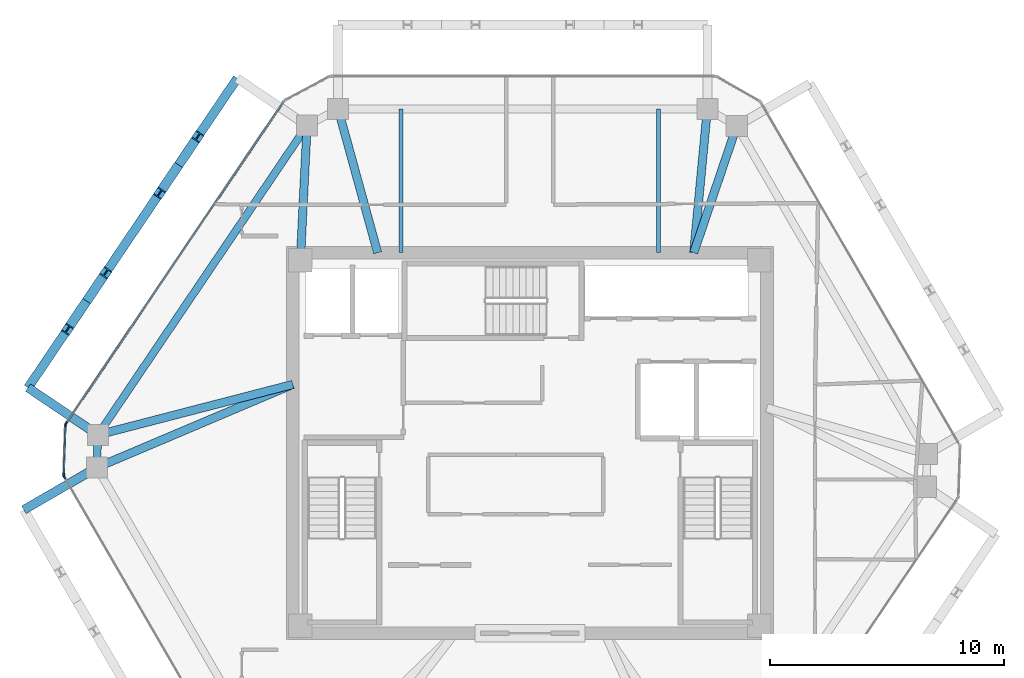
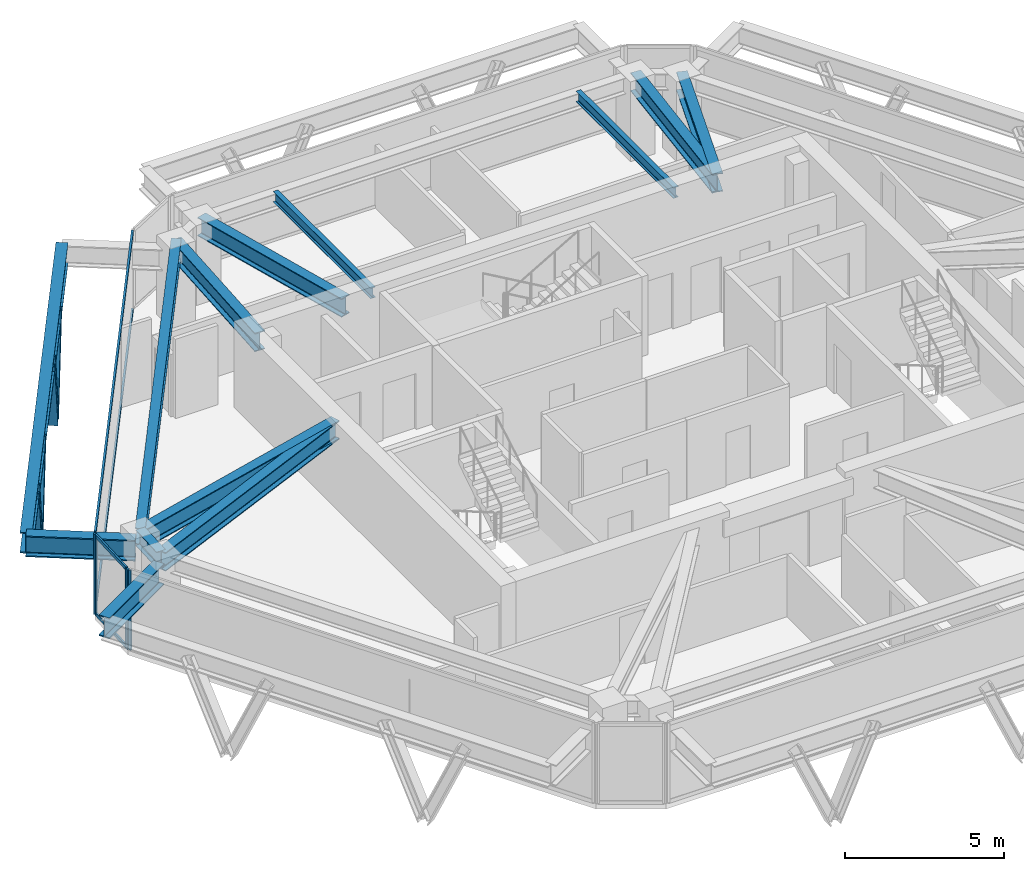
# One storey, part 4 of 11: 13 beams, 12 members, 3 elements without a shape of their own.
"""IFC4 building model written with IfcOpenShell, lengths in metres."""

from ifc_helpers import new_model, si_unit, direction, frame, origin, origin_2d, place, context, subcontext, project, spatial, rectangle, i_section, extrude, source, transform, mapped, material, layer, layer_set, material_profile, profile_set, type_object, type_shapes, element, aggregate, save


model = new_model("IFC4")

# Units and contexts
model_context = context("Model", 3, precision=1e-05, world=origin(), true_north=direction((0.0, 1.0)))
body_context = subcontext(model_context, "Body", "Model", "MODEL_VIEW")
ifc_project = project(units=[si_unit("LENGTHUNIT", "METRE"), si_unit("AREAUNIT", "SQUARE_METRE"), si_unit("VOLUMEUNIT", "CUBIC_METRE"), si_unit("PLANEANGLEUNIT", "RADIAN"), si_unit("MASSUNIT", "GRAM", prefix="KILO")], contexts=[model_context])

# Site, building, storey
site_placement = place(None, origin())
site = spatial("IfcSite", under=ifc_project, at=site_placement, CompositionType="ELEMENT")
building_placement = place(site_placement, origin())
building = spatial("IfcBuilding", under=site, at=building_placement, Name="Durnholm Broadcast Tower", CompositionType="ELEMENT")
storey_placement = place(building_placement, frame((0.0, 0.0, 224.89990234375)))
storey = spatial("IfcBuildingStorey", under=building, at=storey_placement, Name="L62", CompositionType="ELEMENT", Elevation=224.89990234375)

# Beams
ifc_material_1 = material(Name="Steel ASTM A992 Grade 50", Category="steel")
ifc_material_profile_1 = material_profile(ifc_material_1, i_section(OverallWidth=0.385009765625, OverallDepth=0.802978515625, WebThickness=0.023681640625, FlangeThickness=0.0419921875, FilletRadius=0.032958984375, at=origin_2d()), Name="W30X261")
ifc_profile_set_1 = profile_set([ifc_material_profile_1], Name="Steel ASTM A992 Grade 50")
beam_type_1 = type_object("IfcBeamType", Name="BM-EXO-TIE", PredefinedType="USERDEFINED", material=ifc_profile_set_1)
shared_shape_1 = source(origin(), body_context, "Body", "SweptSolid", [
    extrude(i_section(OverallWidth=0.385009765625, OverallDepth=0.802978515625, WebThickness=0.023681640625, FlangeThickness=0.0419921875, FilletRadius=0.032958984375, at=origin_2d()), origin(), (0.0, 0.0, 1.0), 3.4560546875),
])
for number, where, z_axis, x_axis, name in (
    (1, (-18.565673828125, 0.426513671875, 2.30859375), (-0.828413564093, 0.56011692246, 0.0), (-0.56011692246, -0.828413564093, 0.0), "L62 exoskeleton stand-off tie bracket F5.2"),
    (2, (-18.618896484375, -1.1201171875, 2.30859375), (-0.864876013532, -0.501985538852, 0.0), (0.501985538852, -0.864876013532, 0.0), "L62 exoskeleton stand-off tie bracket F6.1"),
):
    element("IfcBeam", number, at=place(storey_placement, frame(where, z_axis=z_axis, x_axis=x_axis)), inside=storey, type_object=beam_type_1, Name=name, ObjectType="GIRDER", PredefinedType="USERDEFINED", context=body_context, shape_type="MappedRepresentation", body=[
        mapped(shared_shape_1, transform((0.0, 0.0, 0.0), x_axis=(1.0, 0.0, 0.0), y_axis=(0.0, 1.0, 0.0), z_axis=(0.0, 0.0, 1.0), scale=1.0)),
    ])
ifc_material_profile_2 = material_profile(ifc_material_1, i_section(OverallWidth=0.3251953125, OverallDepth=0.6162109375, WebThickness=0.013916015625, FlangeThickness=0.021484375, FilletRadius=0.02783203125, at=origin_2d()), Name="W24X117")
ifc_profile_set_2 = profile_set([ifc_material_profile_2], Name="Steel ASTM A992 Grade 50")
beam_type_2 = type_object("IfcBeamType", Name="STL-SP-W24X117", PredefinedType="SPANDREL", material=ifc_profile_set_2)
shared_shape_2 = source(origin(), body_context, "Body", "SweptSolid", [
    extrude(i_section(OverallWidth=0.3251953125, OverallDepth=0.6162109375, WebThickness=0.013916015625, FlangeThickness=0.021484375, FilletRadius=0.02783203125, at=origin_2d()), origin(), (0.0, 0.0, 1.0), 1.39453125),
])
beam_1_placement = place(storey_placement, frame((-18.494384765625, -1.0478515625, 2.737060546875), z_axis=(0.034486393061, 0.999405167434, 0.0), x_axis=(-0.999405167434, 0.034486393061, 0.0)))
element("IfcBeam", 3, at=beam_1_placement, inside=storey, type_object=beam_type_2, Name="L62 perimeter spandrel girder 02", PredefinedType="SPANDREL", context=body_context, shape_type="MappedRepresentation", body=[
    mapped(shared_shape_2, transform((0.0, 0.0, 0.0), x_axis=(1.0, 0.0, 0.0), y_axis=(0.0, 1.0, 0.0), z_axis=(0.0, 0.0, 1.0), scale=1.0)),
])
shared_shape_3 = source(origin(), body_context, "Body", "SweptSolid", [
    extrude(i_section(OverallWidth=0.3251953125, OverallDepth=0.6162109375, WebThickness=0.013916015625, FlangeThickness=0.021484375, FilletRadius=0.02783203125, at=origin_2d()), origin(), (0.0, 0.0, 1.0), 15.947265625),
])
type_shapes(beam_type_2, [shared_shape_2, shared_shape_3])
beam_2_placement = place(storey_placement, frame((-18.4462890625, 0.345947265625, 2.737060546875), z_axis=(0.560062212489, 0.828450552623, 0.0), x_axis=(-0.828450552623, 0.560062212489, 0.0)))
element("IfcBeam", 4, at=beam_2_placement, inside=storey, type_object=beam_type_2, Name="L62 perimeter spandrel girder 03", PredefinedType="SPANDREL", context=body_context, shape_type="MappedRepresentation", body=[
    mapped(shared_shape_3, transform((0.0, 0.0, 0.0), x_axis=(1.0, 0.0, 0.0), y_axis=(0.0, 1.0, 0.0), z_axis=(0.0, 0.0, 1.0), scale=1.0)),
])
ifc_material_profile_3 = material_profile(ifc_material_1, i_section(OverallWidth=0.3564453125, OverallDepth=0.713623046875, WebThickness=0.01904296875, FlangeThickness=0.033935546875, FilletRadius=0.030517578125, at=origin_2d()), Name="W27X194")
ifc_profile_set_3 = profile_set([ifc_material_profile_3], Name="Steel ASTM A992 Grade 50")
beam_type_3 = type_object("IfcBeamType", Name="STL-GR-W27X194", PredefinedType="USERDEFINED", material=ifc_profile_set_3)
shared_shape_4 = source(origin(), body_context, "Body", "SweptSolid", [
    extrude(i_section(OverallWidth=0.3564453125, OverallDepth=0.713623046875, WebThickness=0.01904296875, FlangeThickness=0.033935546875, FilletRadius=0.030517578125, at=origin_2d()), origin(), (0.0, 0.0, 1.0), 5.764404296875),
])
beam_3_placement = place(storey_placement, frame((-9.800048828125, 7.800048828125, 2.688232421875), z_axis=(0.049468662109, 0.99877567625, 0.0), x_axis=(-0.99877567625, 0.049468662109, 0.0)))
element("IfcBeam", 5, at=beam_3_placement, inside=storey, type_object=beam_type_3, Name="L62 radial primary floor girder 04", ObjectType="GIRDER", PredefinedType="USERDEFINED", context=body_context, shape_type="MappedRepresentation", body=[
    mapped(shared_shape_4, transform((0.0, 0.0, 0.0), x_axis=(1.0, 0.0, 0.0), y_axis=(0.0, 1.0, 0.0), z_axis=(0.0, 0.0, 1.0), scale=1.0)),
])
shared_shape_5 = source(origin(), body_context, "Body", "SweptSolid", [
    extrude(i_section(OverallWidth=0.385009765625, OverallDepth=0.802978515625, WebThickness=0.023681640625, FlangeThickness=0.0419921875, FilletRadius=0.032958984375, at=origin_2d()), origin(), (0.0, 0.0, 1.0), 15.947021484375),
])
type_shapes(beam_type_1, [shared_shape_1, shared_shape_5])
beam_4_placement = place(storey_placement, frame((-12.497314453125, 15.573486328125, 2.30859375), z_axis=(-0.560069315853, -0.828445750451, 0.0), x_axis=(0.828445750451, -0.560069315853, 0.0)))
element("IfcBeam", 6, at=beam_4_placement, inside=storey, type_object=beam_type_1, Name="L62 exoskeleton collector spandrel F5", PredefinedType="SPANDREL", context=body_context, shape_type="MappedRepresentation", body=[
    mapped(shared_shape_5, transform((0.0, 0.0, 0.0), x_axis=(1.0, 0.0, 0.0), y_axis=(0.0, 1.0, 0.0), z_axis=(0.0, 0.0, 1.0), scale=1.0)),
])
shared_shape_6 = source(origin(), body_context, "Body", "SweptSolid", [
    extrude(i_section(OverallWidth=0.3564453125, OverallDepth=0.713623046875, WebThickness=0.01904296875, FlangeThickness=0.033935546875, FilletRadius=0.030517578125, at=origin_2d()), origin(), (0.0, 0.0, 1.0), 9.09033203125),
])
beam_5_placement = place(storey_placement, frame((-10.125, 2.5, 2.688232421875), z_axis=(-0.920692350722, -0.390289117607, 0.0), x_axis=(0.390289117607, -0.920692350722, 0.0)))
element("IfcBeam", 7, at=beam_5_placement, inside=storey, type_object=beam_type_3, Name="L62 radial primary floor girder 02", ObjectType="GIRDER", PredefinedType="USERDEFINED", context=body_context, shape_type="MappedRepresentation", body=[
    mapped(shared_shape_6, transform((0.0, 0.0, 0.0), x_axis=(1.0, 0.0, 0.0), y_axis=(0.0, 1.0, 0.0), z_axis=(0.0, 0.0, 1.0), scale=1.0)),
])
shared_shape_7 = source(origin(), body_context, "Body", "SweptSolid", [
    extrude(i_section(OverallWidth=0.3564453125, OverallDepth=0.713623046875, WebThickness=0.01904296875, FlangeThickness=0.033935546875, FilletRadius=0.030517578125, at=origin_2d()), origin(), (0.0, 0.0, 1.0), 8.595458984375),
])
beam_6_placement = place(storey_placement, frame((-10.125, 2.5, 2.688232421875), z_axis=(-0.968090619149, -0.250600385306, 0.0), x_axis=(0.250600385306, -0.968090619149, 0.0)))
element("IfcBeam", 8, at=beam_6_placement, inside=storey, type_object=beam_type_3, Name="L62 radial primary floor girder 03", ObjectType="GIRDER", PredefinedType="USERDEFINED", context=body_context, shape_type="MappedRepresentation", body=[
    mapped(shared_shape_7, transform((0.0, 0.0, 0.0), x_axis=(1.0, 0.0, 0.0), y_axis=(0.0, 1.0, 0.0), z_axis=(0.0, 0.0, 1.0), scale=1.0)),
])
shared_shape_8 = source(origin(), body_context, "Body", "SweptSolid", [
    extrude(i_section(OverallWidth=0.3564453125, OverallDepth=0.713623046875, WebThickness=0.01904296875, FlangeThickness=0.033935546875, FilletRadius=0.030517578125, at=origin_2d()), origin(), (0.0, 0.0, 1.0), 6.36474609375),
])
beam_7_placement = place(storey_placement, frame((-6.5, 8.125, 2.688232421875), z_axis=(-0.265168072834, 0.96420220553, 0.0), x_axis=(-0.96420220553, -0.265168072834, 0.0)))
element("IfcBeam", 9, at=beam_7_placement, inside=storey, type_object=beam_type_3, Name="L62 radial primary floor girder 05", ObjectType="GIRDER", PredefinedType="USERDEFINED", context=body_context, shape_type="MappedRepresentation", body=[
    mapped(shared_shape_8, transform((0.0, 0.0, 0.0), x_axis=(1.0, 0.0, 0.0), y_axis=(0.0, 1.0, 0.0), z_axis=(0.0, 0.0, 1.0), scale=1.0)),
])
shared_shape_9 = source(origin(), body_context, "Body", "SweptSolid", [
    extrude(i_section(OverallWidth=0.3564453125, OverallDepth=0.713623046875, WebThickness=0.01904296875, FlangeThickness=0.033935546875, FilletRadius=0.030517578125, at=origin_2d()), origin(), (0.0, 0.0, 1.0), 6.164306640625),
])
beam_8_placement = place(storey_placement, frame((7.0, 8.125, 2.688232421875), z_axis=(0.094024068139, 0.995569924521, 0.0), x_axis=(-0.995569924521, 0.094024068139, 0.0)))
element("IfcBeam", 10, at=beam_8_placement, inside=storey, type_object=beam_type_3, Name="L62 radial primary floor girder 06", ObjectType="GIRDER", PredefinedType="USERDEFINED", context=body_context, shape_type="MappedRepresentation", body=[
    mapped(shared_shape_9, transform((0.0, 0.0, 0.0), x_axis=(1.0, 0.0, 0.0), y_axis=(0.0, 1.0, 0.0), z_axis=(0.0, 0.0, 1.0), scale=1.0)),
])
shared_shape_10 = source(origin(), body_context, "Body", "SweptSolid", [
    extrude(i_section(OverallWidth=0.3564453125, OverallDepth=0.713623046875, WebThickness=0.01904296875, FlangeThickness=0.033935546875, FilletRadius=0.030517578125, at=origin_2d()), origin(), (0.0, 0.0, 1.0), 5.716064453125),
])
type_shapes(beam_type_3, [shared_shape_4, shared_shape_6, shared_shape_7, shared_shape_8, shared_shape_9, shared_shape_10])
beam_9_placement = place(storey_placement, frame((7.0, 8.125, 2.688232421875), z_axis=(0.321450919754, 0.946926241156, 0.0), x_axis=(-0.946926241156, 0.321450919754, 0.0)))
element("IfcBeam", 11, at=beam_9_placement, inside=storey, type_object=beam_type_3, Name="L62 radial primary floor girder 07", ObjectType="GIRDER", PredefinedType="USERDEFINED", context=body_context, shape_type="MappedRepresentation", body=[
    mapped(shared_shape_10, transform((0.0, 0.0, 0.0), x_axis=(1.0, 0.0, 0.0), y_axis=(0.0, 1.0, 0.0), z_axis=(0.0, 0.0, 1.0), scale=1.0)),
])
ifc_material_profile_4 = material_profile(ifc_material_1, i_section(OverallWidth=0.177734375, OverallDepth=0.40673828125, WebThickness=0.0078125, FlangeThickness=0.0126953125, FilletRadius=0.01904296875, at=origin_2d()), Name="W16X40")
ifc_profile_set_4 = profile_set([ifc_material_profile_4], Name="Steel ASTM A992 Grade 50")
beam_type_4 = type_object("IfcBeamType", Name="STL-BJ-W16X40", PredefinedType="JOIST", material=ifc_profile_set_4)
shared_shape_11 = source(origin(), body_context, "Body", "SweptSolid", [
    extrude(i_section(OverallWidth=0.177734375, OverallDepth=0.40673828125, WebThickness=0.0078125, FlangeThickness=0.0126953125, FilletRadius=0.01904296875, at=origin_2d()), origin(), (0.0, 0.0, 1.0), 6.136962890625),
])
type_shapes(beam_type_4, [shared_shape_11])
for number, where, z_axis, x_axis, name in (
    (12, (-5.5, 8.125, 2.841796875), (0.0, 1.0, 0.0), (-1.0, 0.0, 0.0), "L62 secondary floor joist 3.2"),
    (13, (5.5, 8.125, 2.841796875), (0.0, 1.0, 0.0), (-1.0, 0.0, 0.0), "L62 secondary floor joist 4.2"),
):
    element("IfcBeam", number, at=place(storey_placement, frame(where, z_axis=z_axis, x_axis=x_axis)), inside=storey, type_object=beam_type_4, Name=name, PredefinedType="JOIST", context=body_context, shape_type="MappedRepresentation", body=[
        mapped(shared_shape_11, transform((0.0, 0.0, 0.0), x_axis=(1.0, 0.0, 0.0), y_axis=(0.0, 1.0, 0.0), z_axis=(0.0, 0.0, 1.0), scale=1.0)),
    ])

# Members
ifc_material_2 = material(Name="Steel ASTM A913 Grade 65", Category="steel")
ifc_material_profile_5 = material_profile(ifc_material_2, i_section(OverallWidth=0.40625, OverallDepth=0.416015625, WebThickness=0.02978515625, FlangeThickness=0.048095703125, FilletRadius=0.030517578125, at=origin_2d()), Name="W14X257")
ifc_profile_set_5 = profile_set([ifc_material_profile_5], Name="Steel ASTM A913 Grade 65")
member_type_1 = type_object("IfcMemberType", Name="STL-DG-W14X257", PredefinedType="BRACE", material=ifc_profile_set_5)
shared_shape_12 = source(origin(), body_context, "Body", "SweptSolid", [
    extrude(i_section(OverallWidth=0.40625, OverallDepth=0.416015625, WebThickness=0.02978515625, FlangeThickness=0.048095703125, FilletRadius=0.030517578125, at=origin_2d()), origin(), (0.0, 0.0, 1.0), 3.60791015625),
])
type_shapes(member_type_1, [shared_shape_12])
for number, where, z_axis, x_axis, name in (
    (14, (-14.998046875, 11.874267578125, -0.991455078125), (0.226349134478, 0.334888450383, 0.914667040579), (-0.828505003222, 0.559981660089, 0.0), "L62 stand-off diagrid brace F5.D1.1"),
    (15, (-14.998046875, 11.874267578125, -0.991455078125), (-0.226354263477, -0.334828369412, 0.914687766641), (0.828452496411, -0.560059337206, 0.0), "L62 stand-off diagrid brace F5.D1.2"),
    (16, (-18.927978515625, 6.061279296875, -0.991455078125), (0.226354263477, 0.334828369412, 0.914687766641), (-0.828452496411, 0.560059337206, 0.0), "L62 stand-off diagrid brace F5.D2.1"),
    (17, (-18.927978515625, 6.061279296875, -0.991455078125), (-0.226354263477, -0.334828369412, 0.914687766641), (0.828452496411, -0.560059337206, 0.0), "L62 stand-off diagrid brace F5.D2.2"),
):
    element("IfcMember", number, at=place(storey_placement, frame(where, z_axis=z_axis, x_axis=x_axis)), inside=storey, type_object=member_type_1, Name=name, PredefinedType="BRACE", context=body_context, shape_type="MappedRepresentation", body=[
        mapped(shared_shape_12, transform((0.0, 0.0, 0.0), x_axis=(1.0, 0.0, 0.0), y_axis=(0.0, 1.0, 0.0), z_axis=(0.0, 0.0, 1.0), scale=1.0)),
    ])

# Curtain wall, members
ifc_material_3 = material(Name="Aluminium and Solar Control IGU", Category="aluminium")
ifc_layer_1 = layer(ifc_material_3, 0.1650390625)
ifc_layer_set_1 = layer_set([ifc_layer_1], Name="Aluminium and Solar Control IGU")
curtain_wall_type_1 = type_object("IfcCurtainWallType", Name="CW-SYS-5", PredefinedType="NOTDEFINED", material=ifc_layer_set_1)
curtain_wall_1_placement = place(storey_placement, origin())
curtain_wall_1 = element("IfcCurtainWall", 18, at=curtain_wall_1_placement, inside=storey, type_object=curtain_wall_type_1, Name="L62 curtain wall CW-CORNER CW-L62-CRN-01", PredefinedType="NOTDEFINED")
ifc_material_4 = material(Name="Aluminium 6063-T6", Category="aluminium")
ifc_material_profile_6 = material_profile(ifc_material_4, rectangle(XDim=0.06494140625, YDim=0.1298828125, at=origin_2d()), Name="CWT65X130")
ifc_profile_set_6 = profile_set([ifc_material_profile_6], Name="Aluminium 6063-T6")
member_type_2 = type_object("IfcMemberType", Name="CW-SYS-5-TRN", PredefinedType="USERDEFINED", material=ifc_profile_set_6)
shared_shape_13 = source(origin(), body_context, "Body", "SweptSolid", [
    extrude(rectangle(XDim=0.06494140625, YDim=0.1298828125, at=origin_2d()), origin(), (0.0, 0.0, 1.0), 2.070068359375),
])
type_shapes(member_type_2, [shared_shape_13])
member_1_placement = place(storey_placement, frame((-19.905029296875, -1.33740234375, 0.03271484375), z_axis=(0.034320104965, 0.999410891673, 0.0), x_axis=(-0.999410891673, 0.034320104965, 0.0)))
member_1 = element("IfcMember", 19, at=member_1_placement, type_object=member_type_2, Name="CW-CORNER transom 1.1", ObjectType="TRANSOM", PredefinedType="USERDEFINED", context=body_context, shape_type="MappedRepresentation", body=[
    mapped(shared_shape_13, transform((0.0, 0.0, 0.0), x_axis=(1.0, 0.0, 0.0), y_axis=(0.0, 1.0, 0.0), z_axis=(0.0, 0.0, 1.0), scale=1.0)),
])
member_2_placement = place(storey_placement, frame((-19.905029296875, -1.33740234375, 3.027587890625), z_axis=(0.034320104965, 0.999410891673, 0.0), x_axis=(-0.999410891673, 0.034320104965, 0.0)))
member_2 = element("IfcMember", 20, at=member_2_placement, type_object=member_type_2, Name="CW-CORNER transom 1.2", ObjectType="TRANSOM", PredefinedType="USERDEFINED", context=body_context, shape_type="MappedRepresentation", body=[
    mapped(shared_shape_13, transform((0.0, 0.0, 0.0), x_axis=(1.0, 0.0, 0.0), y_axis=(0.0, 1.0, 0.0), z_axis=(0.0, 0.0, 1.0), scale=1.0)),
])
ifc_material_profile_7 = material_profile(ifc_material_4, rectangle(XDim=0.06494140625, YDim=0.1650390625, at=origin_2d()), Name="CWM65X165")
ifc_profile_set_7 = profile_set([ifc_material_profile_7], Name="Aluminium 6063-T6")
member_type_3 = type_object("IfcMemberType", Name="CW-SYS-5-MUL", PredefinedType="MULLION", material=ifc_profile_set_7)
shared_shape_14 = source(origin(), body_context, "Body", "SweptSolid", [
    extrude(rectangle(XDim=0.06494140625, YDim=0.1650390625, at=origin_2d()), origin(), (0.0, 0.0, 1.0), 3.06005859375),
])
type_shapes(member_type_3, [shared_shape_14])
member_3_placement = place(storey_placement, frame((-19.90625, -1.369873046875, 0.0), z_axis=(0.0, 0.0, 1.0), x_axis=(-0.999410955514, 0.034318245849, 0.0)))
member_3 = element("IfcMember", 21, at=member_3_placement, type_object=member_type_3, Name="CW-CORNER mullion 1", PredefinedType="MULLION", context=body_context, shape_type="MappedRepresentation", body=[
    mapped(shared_shape_14, transform((0.0, 0.0, 0.0), x_axis=(1.0, 0.0, 0.0), y_axis=(0.0, 1.0, 0.0), z_axis=(0.0, 0.0, 1.0), scale=1.0)),
])
member_4_placement = place(storey_placement, frame((-19.8330078125, 0.763916015625, 0.0), z_axis=(0.0, 0.0, 1.0), x_axis=(-0.999410955514, 0.034318245849, 0.0)))
member_4 = element("IfcMember", 22, at=member_4_placement, type_object=member_type_3, Name="CW-CORNER mullion 2", PredefinedType="MULLION", context=body_context, shape_type="MappedRepresentation", body=[
    mapped(shared_shape_14, transform((0.0, 0.0, 0.0), x_axis=(1.0, 0.0, 0.0), y_axis=(0.0, 1.0, 0.0), z_axis=(0.0, 0.0, 1.0), scale=1.0)),
])
aggregate(curtain_wall_1, [member_3, member_4, member_1, member_2])

# Curtain wall, member
ifc_layer_2 = layer(ifc_material_3, 0.18994140625)
ifc_layer_set_2 = layer_set([ifc_layer_2], Name="Aluminium and Solar Control IGU")
curtain_wall_type_2 = type_object("IfcCurtainWallType", Name="CW-SYS-4", PredefinedType="NOTDEFINED", material=ifc_layer_set_2)
curtain_wall_2_placement = place(storey_placement, origin())
curtain_wall_2 = element("IfcCurtainWall", 23, at=curtain_wall_2_placement, inside=storey, type_object=curtain_wall_type_2, Name="L62 curtain wall CW-Z34-VIS CW-L62-F02", PredefinedType="NOTDEFINED")
ifc_material_profile_8 = material_profile(ifc_material_4, rectangle(XDim=0.070068359375, YDim=0.18994140625, at=origin_2d()), Name="CWM70X190")
ifc_profile_set_8 = profile_set([ifc_material_profile_8], Name="Aluminium 6063-T6")
member_type_4 = type_object("IfcMemberType", Name="CW-SYS-4-MUL", PredefinedType="MULLION", material=ifc_profile_set_8)
shared_shape_15 = source(origin(), body_context, "Body", "SweptSolid", [
    extrude(rectangle(XDim=0.070068359375, YDim=0.18994140625, at=origin_2d()), origin(), (0.0, 0.0, 1.0), 3.06005859375),
])
type_shapes(member_type_4, [shared_shape_15])
member_5_placement = place(storey_placement, frame((-19.812255859375, 0.825439453125, 0.0), z_axis=(0.0, 0.0, 1.0), x_axis=(-0.828443431662, 0.560072745753, 0.0)))
member_5 = element("IfcMember", 24, at=member_5_placement, type_object=member_type_4, Name="CW-Z34-VIS mullion 1", PredefinedType="MULLION", context=body_context, shape_type="MappedRepresentation", body=[
    mapped(shared_shape_15, transform((0.0, 0.0, 0.0), x_axis=(1.0, 0.0, 0.0), y_axis=(0.0, 1.0, 0.0), z_axis=(0.0, 0.0, 1.0), scale=1.0)),
])

curtain_wall_3_placement = place(storey_placement, origin())
curtain_wall_3 = element("IfcCurtainWall", 25, at=curtain_wall_3_placement, inside=storey, type_object=curtain_wall_type_2, Name="L62 curtain wall CW-Z34-VIS CW-L62-F12", PredefinedType="NOTDEFINED")
member_6_placement = place(storey_placement, frame((-19.8896484375, -1.4326171875, 0.0), z_axis=(0.0, 0.0, 1.0), x_axis=(-0.864899883824, -0.50194441023, 0.0)))
member_6 = element("IfcMember", 26, at=member_6_placement, type_object=member_type_4, Name="CW-Z34-VIS mullion 2", PredefinedType="MULLION", context=body_context, shape_type="MappedRepresentation", body=[
    mapped(shared_shape_15, transform((0.0, 0.0, 0.0), x_axis=(1.0, 0.0, 0.0), y_axis=(0.0, 1.0, 0.0), z_axis=(0.0, 0.0, 1.0), scale=1.0)),
])
aggregate(curtain_wall_3, [member_6])

# Member
ifc_material_profile_9 = material_profile(ifc_material_4, rectangle(XDim=0.070068359375, YDim=0.14990234375, at=origin_2d()), Name="CWT70X150")
ifc_profile_set_9 = profile_set([ifc_material_profile_9], Name="Aluminium 6063-T6")
member_type_5 = type_object("IfcMemberType", Name="CW-SYS-4-TRN", PredefinedType="USERDEFINED", material=ifc_profile_set_9)
shared_shape_16 = source(origin(), body_context, "Body", "SweptSolid", [
    extrude(rectangle(XDim=0.070068359375, YDim=0.14990234375, at=origin_2d()), origin(), (0.0, 0.0, 1.0), 16.55859375),
])
type_shapes(member_type_5, [shared_shape_16])
member_7_placement = place(storey_placement, frame((-19.79248046875, 0.8544921875, 0.03515625), z_axis=(0.560071338091, 0.828444383317, 0.0), x_axis=(-0.828444383317, 0.560071338091, 0.0)))
member_7 = element("IfcMember", 27, at=member_7_placement, type_object=member_type_5, Name="CW-Z34-VIS transom 1.1", ObjectType="TRANSOM", PredefinedType="USERDEFINED", context=body_context, shape_type="MappedRepresentation", body=[
    mapped(shared_shape_16, transform((0.0, 0.0, 0.0), x_axis=(1.0, 0.0, 0.0), y_axis=(0.0, 1.0, 0.0), z_axis=(0.0, 0.0, 1.0), scale=1.0)),
])

member_8_placement = place(storey_placement, frame((-19.79248046875, 0.8544921875, 3.025146484375), z_axis=(0.560071338091, 0.828444383317, 0.0), x_axis=(-0.828444383317, 0.560071338091, 0.0)))
member_8 = element("IfcMember", 28, at=member_8_placement, type_object=member_type_5, Name="CW-Z34-VIS transom 1.2", ObjectType="TRANSOM", PredefinedType="USERDEFINED", context=body_context, shape_type="MappedRepresentation", body=[
    mapped(shared_shape_16, transform((0.0, 0.0, 0.0), x_axis=(1.0, 0.0, 0.0), y_axis=(0.0, 1.0, 0.0), z_axis=(0.0, 0.0, 1.0), scale=1.0)),
])

aggregate(curtain_wall_2, [member_5, member_7, member_8])

save(model, "model.ifc")
